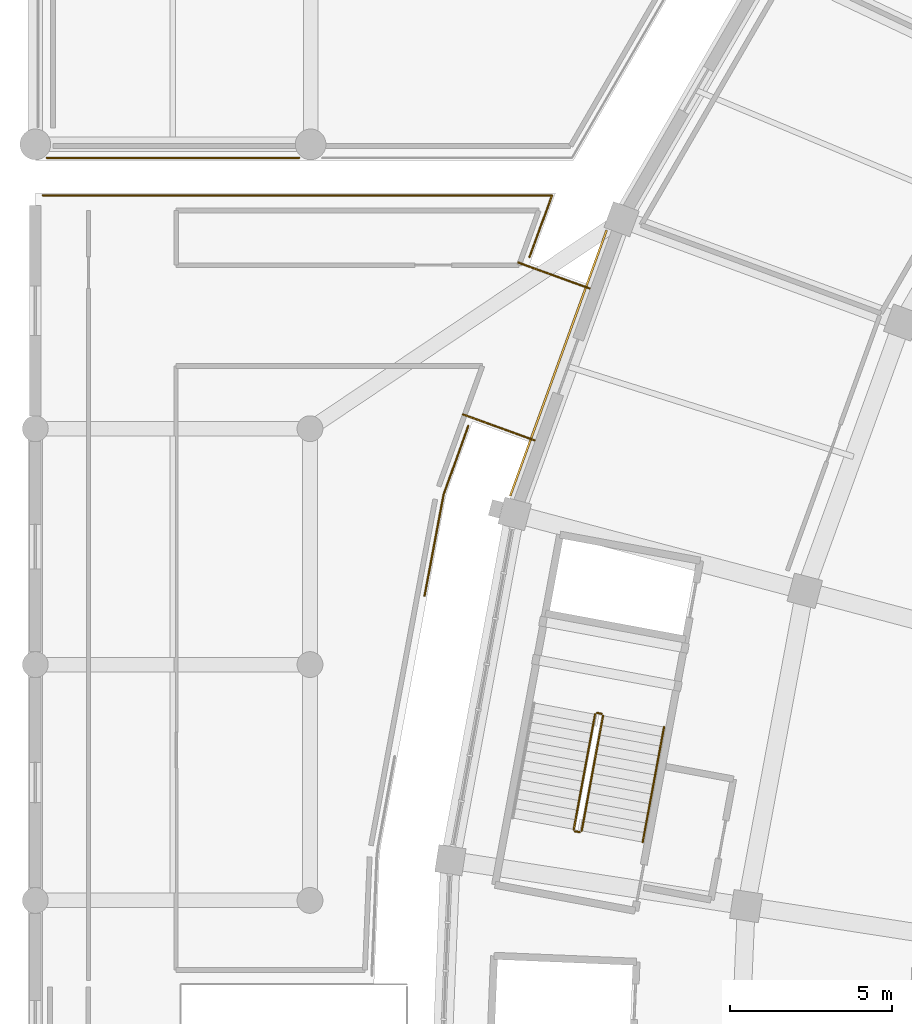
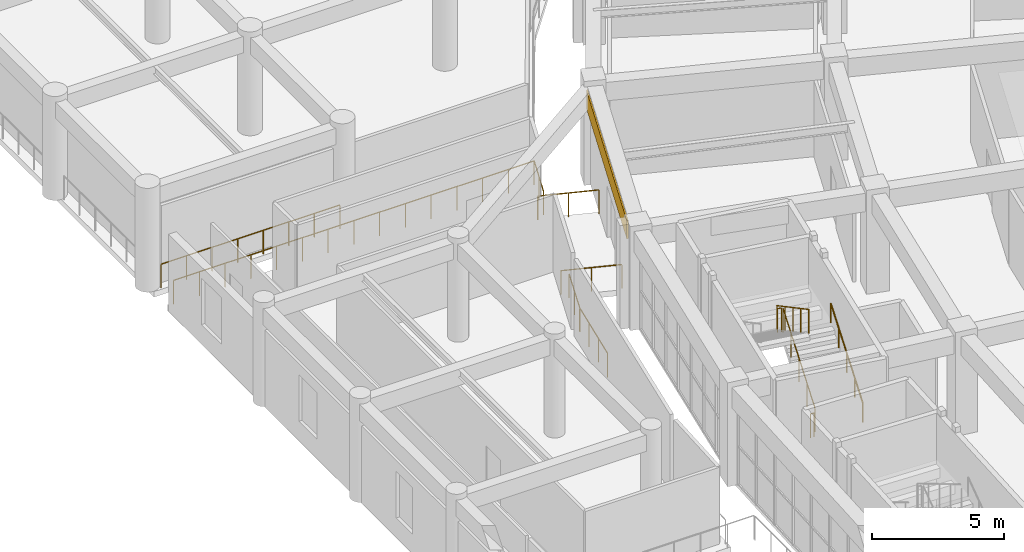
# One storey, part 131 of 152: 10 railings, 1 covering.
"""IFC4 building model written with IfcOpenShell, lengths in metres."""

from ifc_helpers import new_model, si_unit, direction, frame, origin, origin_2d, place, context, subcontext, project, spatial, rectangle, circle, extrude, material, layer, layer_set, type_object, element, save


model = new_model("IFC4")

# Units and contexts
model_context = context("Model", 3, precision=1e-05, world=origin(), true_north=direction((0.0, 1.0)))
body_context = subcontext(model_context, "Body", "Model", "MODEL_VIEW")
ifc_project = project(units=[si_unit("LENGTHUNIT", "METRE"), si_unit("AREAUNIT", "SQUARE_METRE"), si_unit("VOLUMEUNIT", "CUBIC_METRE"), si_unit("PLANEANGLEUNIT", "RADIAN"), si_unit("MASSUNIT", "GRAM", prefix="KILO")], contexts=[model_context])

# Site, building, storey
site_placement = place(None, origin())
site = spatial("IfcSite", under=ifc_project, at=site_placement, CompositionType="ELEMENT")
building_placement = place(site_placement, origin())
building = spatial("IfcBuilding", under=site, at=building_placement, Name="Mphavela Belvedere Stadium", CompositionType="ELEMENT")
storey_placement = place(building_placement, frame((0.0, 0.0, 5.39990234375)))
storey = spatial("IfcBuildingStorey", under=building, at=storey_placement, Name="L01", CompositionType="ELEMENT", Elevation=5.39990234375)

# Covering
ifc_material_1 = material(Name="Carved classical limestone entablature frieze cladding", Category="masonry")
ifc_layer = layer(ifc_material_1, 0.06005859375)
ifc_layer_set = layer_set([ifc_layer], Name="Carved classical limestone entablature frieze cladding")
covering_type = type_object("IfcCoveringType", Name="COV-FRIEZE-CLAD", PredefinedType="CLADDING", material=ifc_layer_set)
covering_placement = place(storey_placement, frame((16.188720703125, 118.2314453125, 3.594970703125), z_axis=(0.0, 0.0, 1.0), x_axis=(-0.341035912161, -0.940050268133, 0.0)))
element("IfcCovering", 1, at=covering_placement, inside=storey, type_object=covering_type, Name="Classical entablature frieze cladding L01-22", PredefinedType="CLADDING", context=body_context, shape_type="SweptSolid", body=[
    extrude(rectangle(XDim=8.75537109375, YDim=0.06005859375, at=origin_2d()), origin(), (0.0, 0.0, 1.0), 0.85009765625),
])

# Railings
ifc_material_2 = material(Name="Bronze and laminated glass stadium balustrade", Category="glass")
railing_type_1 = type_object("IfcRailingType", Name="RAL-BALUSTRADE-1120", PredefinedType="BALUSTRADE", material=ifc_material_2)
railing_1_placement = place(storey_placement, frame((17.154296875, 120.540771484375, 0.0)))
element("IfcRailing", 2, at=railing_1_placement, inside=storey, type_object=railing_type_1, Name="Colonnade link bridge balustrade L01-22A", PredefinedType="BALUSTRADE", context=body_context, shape_type="SweptSolid", body=[
    extrude(circle(Radius=0.02392578125, at=origin_2d()), frame((0.0, 0.0, 1.09619140625), z_axis=(-0.940044916205, 0.341050664151, 0.0), x_axis=(-0.341050664151, -0.940044916205, 0.0)), (0.0, 0.0, 1.0), 2.35009765625),
    extrude(circle(Radius=0.02099609375, at=origin_2d()), origin(), (0.0, 0.0, 1.0), 1.072021484375),
    extrude(circle(Radius=0.02099609375, at=origin_2d()), frame((-1.1044921875, 0.40087890625, 0.0)), (0.0, 0.0, 1.0), 1.072021484375),
    extrude(circle(Radius=0.02099609375, at=origin_2d()), frame((-2.209228515625, 0.801513671875, 0.0)), (0.0, 0.0, 1.0), 1.072021484375),
])
railing_2_placement = place(storey_placement, frame((15.44921875, 115.840576171875, 0.0)))
element("IfcRailing", 3, at=railing_2_placement, inside=storey, type_object=railing_type_1, Name="Colonnade link bridge balustrade L01-22B", PredefinedType="BALUSTRADE", context=body_context, shape_type="SweptSolid", body=[
    extrude(circle(Radius=0.02392578125, at=origin_2d()), frame((0.0, 0.0, 1.09619140625), z_axis=(-0.940078218368, 0.340958858734, 0.0), x_axis=(-0.340958858734, -0.940078218368, 0.0)), (0.0, 0.0, 1.0), 2.35009765625),
    extrude(circle(Radius=0.02099609375, at=origin_2d()), origin(), (0.0, 0.0, 1.0), 1.072021484375),
    extrude(circle(Radius=0.02099609375, at=origin_2d()), frame((-1.1044921875, 0.400634765625, 0.0)), (0.0, 0.0, 1.0), 1.072021484375),
    extrude(circle(Radius=0.02099609375, at=origin_2d()), frame((-2.209228515625, 0.80126953125, 0.0)), (0.0, 0.0, 1.0), 1.072021484375),
])
railing_3_placement = place(storey_placement, frame((8.164306640625, 124.580078125, 0.0)))
element("IfcRailing", 4, at=railing_3_placement, inside=storey, type_object=railing_type_1, Name="Peristyle wing gallery edge balustrade L01-36", PredefinedType="BALUSTRADE", context=body_context, shape_type="SweptSolid", body=[
    extrude(circle(Radius=0.02392578125, at=origin_2d()), frame((0.0, 0.0, 1.09619140625), z_axis=(-1.0, 0.0, 0.0), x_axis=(0.0, -1.0, 0.0)), (0.0, 0.0, 1.0), 7.809814453125),
    extrude(circle(Radius=0.02099609375, at=origin_2d()), origin(), (0.0, 0.0, 1.0), 1.072021484375),
    extrude(circle(Radius=0.02099609375, at=origin_2d()), frame((-1.11572265625, 0.0, 0.0)), (0.0, 0.0, 1.0), 1.072021484375),
    extrude(circle(Radius=0.02099609375, at=origin_2d()), frame((-2.2314453125, 0.0, 0.0)), (0.0, 0.0, 1.0), 1.072021484375),
    extrude(circle(Radius=0.02099609375, at=origin_2d()), frame((-3.34716796875, 0.0, 0.0)), (0.0, 0.0, 1.0), 1.072021484375),
    extrude(circle(Radius=0.02099609375, at=origin_2d()), frame((-4.462646484375, 0.0, 0.0)), (0.0, 0.0, 1.0), 1.072021484375),
    extrude(circle(Radius=0.02099609375, at=origin_2d()), frame((-5.578369140625, 0.0, 0.0)), (0.0, 0.0, 1.0), 1.072021484375),
    extrude(circle(Radius=0.02099609375, at=origin_2d()), frame((-6.694091796875, 0.0, 0.0)), (0.0, 0.0, 1.0), 1.072021484375),
    extrude(circle(Radius=0.02099609375, at=origin_2d()), frame((-7.809814453125, 0.0, 0.0)), (0.0, 0.0, 1.0), 1.072021484375),
])
railing_4_placement = place(storey_placement, frame((13.398193359375, 116.28662109375, 0.0)))
element("IfcRailing", 5, at=railing_4_placement, inside=storey, type_object=railing_type_1, Name="Peristyle wing gallery edge balustrade L01-54", PredefinedType="BALUSTRADE", context=body_context, shape_type="SweptSolid", body=[
    extrude(circle(Radius=0.02392578125, at=origin_2d()), frame((0.0, 0.0, 1.09619140625), z_axis=(-0.337621951524, -0.941281795133, 0.0), x_axis=(0.941281795133, -0.337621951524, 0.0)), (0.0, 0.0, 1.0), 2.26123046875),
    extrude(circle(Radius=0.02392578125, at=origin_2d()), frame((-0.763427734375, -2.12841796875, 1.09619140625), z_axis=(-0.184941248651, -0.982749578757, 0.0), x_axis=(0.982749578757, -0.184941248651, 0.0)), (0.0, 0.0, 1.0), 3.18408203125),
    extrude(circle(Radius=0.02099609375, at=origin_2d()), origin(), (0.0, 0.0, 1.0), 1.072021484375),
    extrude(circle(Radius=0.02099609375, at=origin_2d()), frame((-0.3818359375, -1.064208984375, 0.0)), (0.0, 0.0, 1.0), 1.072021484375),
    extrude(circle(Radius=0.02099609375, at=origin_2d()), frame((-0.763427734375, -2.12841796875, 0.0)), (0.0, 0.0, 1.0), 1.072021484375),
    extrude(circle(Radius=0.02099609375, at=origin_2d()), frame((-0.959716796875, -3.17138671875, 0.0)), (0.0, 0.0, 1.0), 1.072021484375),
    extrude(circle(Radius=0.02099609375, at=origin_2d()), frame((-1.156005859375, -4.214599609375, 0.0)), (0.0, 0.0, 1.0), 1.072021484375),
    extrude(circle(Radius=0.02099609375, at=origin_2d()), frame((-1.352294921875, -5.257568359375, 0.0)), (0.0, 0.0, 1.0), 1.072021484375),
])
railing_5_placement = place(storey_placement, frame((0.2333984375, 123.419921875, 0.0)))
element("IfcRailing", 6, at=railing_5_placement, inside=storey, type_object=railing_type_1, Name="Peristyle wing gallery edge balustrade L01-59", PredefinedType="BALUSTRADE", context=body_context, shape_type="SweptSolid", body=[
    extrude(circle(Radius=0.02392578125, at=origin_2d()), frame((0.0, 0.0, 1.09619140625), z_axis=(1.0, 0.0, 0.0), x_axis=(0.0, 1.0, 0.0)), (0.0, 0.0, 1.0), 15.756103515625),
    extrude(circle(Radius=0.02392578125, at=origin_2d()), frame((15.756103515625, 0.0, 1.09619140625), z_axis=(-0.342380499121, -0.939561383743, 0.0), x_axis=(0.939561383743, -0.342380499121, 0.0)), (0.0, 0.0, 1.0), 2.029296875),
    extrude(circle(Radius=0.02099609375, at=origin_2d()), origin(), (0.0, 0.0, 1.0), 1.072021484375),
    extrude(circle(Radius=0.02099609375, at=origin_2d()), frame((1.12548828125, 0.0, 0.0)), (0.0, 0.0, 1.0), 1.072021484375),
    extrude(circle(Radius=0.02099609375, at=origin_2d()), frame((2.2509765625, 0.0, 0.0)), (0.0, 0.0, 1.0), 1.072021484375),
    extrude(circle(Radius=0.02099609375, at=origin_2d()), frame((3.376220703125, 0.0, 0.0)), (0.0, 0.0, 1.0), 1.072021484375),
    extrude(circle(Radius=0.02099609375, at=origin_2d()), frame((4.501708984375, 0.0, 0.0)), (0.0, 0.0, 1.0), 1.072021484375),
    extrude(circle(Radius=0.02099609375, at=origin_2d()), frame((5.627197265625, 0.0, 0.0)), (0.0, 0.0, 1.0), 1.072021484375),
    extrude(circle(Radius=0.02099609375, at=origin_2d()), frame((6.752685546875, 0.0, 0.0)), (0.0, 0.0, 1.0), 1.072021484375),
    extrude(circle(Radius=0.02099609375, at=origin_2d()), frame((7.8779296875, 0.0, 0.0)), (0.0, 0.0, 1.0), 1.072021484375),
    extrude(circle(Radius=0.02099609375, at=origin_2d()), frame((9.00341796875, 0.0, 0.0)), (0.0, 0.0, 1.0), 1.072021484375),
    extrude(circle(Radius=0.02099609375, at=origin_2d()), frame((10.12890625, 0.0, 0.0)), (0.0, 0.0, 1.0), 1.072021484375),
    extrude(circle(Radius=0.02099609375, at=origin_2d()), frame((11.25439453125, 0.0, 0.0)), (0.0, 0.0, 1.0), 1.072021484375),
    extrude(circle(Radius=0.02099609375, at=origin_2d()), frame((12.3798828125, 0.0, 0.0)), (0.0, 0.0, 1.0), 1.072021484375),
    extrude(circle(Radius=0.02099609375, at=origin_2d()), frame((13.505126953125, 0.0, 0.0)), (0.0, 0.0, 1.0), 1.072021484375),
    extrude(circle(Radius=0.02099609375, at=origin_2d()), frame((14.630615234375, 0.0, 0.0)), (0.0, 0.0, 1.0), 1.072021484375),
    extrude(circle(Radius=0.02099609375, at=origin_2d()), frame((15.756103515625, 0.0, 0.0)), (0.0, 0.0, 1.0), 1.072021484375),
    extrude(circle(Radius=0.02099609375, at=origin_2d()), frame((15.40869140625, -0.953369140625, 0.0)), (0.0, 0.0, 1.0), 1.072021484375),
    extrude(circle(Radius=0.02099609375, at=origin_2d()), frame((15.061279296875, -1.90673828125, 0.0)), (0.0, 0.0, 1.0), 1.072021484375),
])
ifc_material_3 = material(Name="Painted galvanised steel stair guardrail", Category="steel")
railing_type_2 = type_object("IfcRailingType", Name="RAL-GUARD-1120", PredefinedType="GUARDRAIL", material=ifc_material_3)
railing_6_placement = place(storey_placement, frame((16.907958984375, 103.75390625, 0.184814453125)))
element("IfcRailing", 7, at=railing_6_placement, inside=storey, type_object=railing_type_2, Name="L01 ST-C06 stair guard 1", PredefinedType="GUARDRAIL", context=body_context, shape_type="SweptSolid", body=[
    extrude(circle(Radius=0.02392578125, at=origin_2d()), frame((0.0, 0.0, 1.09619140625), z_axis=(0.155771203994, 0.838865295602, 0.521574872708), x_axis=(-0.983192536952, 0.182571726404, 0.0)), (0.0, 0.0, 1.0), 4.247314453125),
    extrude(circle(Radius=0.02099609375, at=origin_2d()), origin(), (0.0, 0.0, 1.0), 1.072021484375),
    extrude(circle(Radius=0.02099609375, at=origin_2d()), frame((0.16552734375, 0.890625, 0.5537109375)), (0.0, 0.0, 1.0), 1.072021484375),
    extrude(circle(Radius=0.02099609375, at=origin_2d()), frame((0.330810546875, 1.781494140625, 1.107666015625)), (0.0, 0.0, 1.0), 1.072021484375),
    extrude(circle(Radius=0.02099609375, at=origin_2d()), frame((0.49609375, 2.67236328125, 1.66162109375)), (0.0, 0.0, 1.0), 1.072021484375),
    extrude(circle(Radius=0.02099609375, at=origin_2d()), frame((0.66162109375, 3.56298828125, 2.21533203125)), (0.0, 0.0, 1.0), 1.072021484375),
])
railing_7_placement = place(storey_placement, frame((17.529541015625, 107.375244140625, 2.400146484375)))
element("IfcRailing", 8, at=railing_7_placement, inside=storey, type_object=railing_type_2, Name="L01 ST-C06 stair guard 2", PredefinedType="GUARDRAIL", context=body_context, shape_type="SweptSolid", body=[
    extrude(circle(Radius=0.02392578125, at=origin_2d()), frame((0.0, 0.0, 1.09619140625), z_axis=(-0.983238797529, 0.182322426032, 0.0), x_axis=(-0.182322426032, -0.983238797529, 0.0)), (0.0, 0.0, 1.0), 0.14990234375),
    extrude(circle(Radius=0.02099609375, at=origin_2d()), origin(), (0.0, 0.0, 1.0), 1.072021484375),
    extrude(circle(Radius=0.02099609375, at=origin_2d()), frame((-0.1474609375, 0.02734375, 0.0)), (0.0, 0.0, 1.0), 1.072021484375),
])
railing_8_placement = place(storey_placement, frame((17.32373046875, 107.362548828125, 2.584716796875)))
element("IfcRailing", 9, at=railing_8_placement, inside=storey, type_object=railing_type_2, Name="L01 ST-C06 stair guard 3", PredefinedType="GUARDRAIL", context=body_context, shape_type="SweptSolid", body=[
    extrude(circle(Radius=0.02392578125, at=origin_2d()), frame((0.0, 0.0, 1.09619140625), z_axis=(-0.155771203994, -0.838865295602, 0.521574872708), x_axis=(0.983192536952, -0.182571726404, 0.0)), (0.0, 0.0, 1.0), 4.247314453125),
    extrude(circle(Radius=0.02099609375, at=origin_2d()), origin(), (0.0, 0.0, 1.0), 1.072021484375),
    extrude(circle(Radius=0.02099609375, at=origin_2d()), frame((-0.16552734375, -0.890625, 0.5537109375)), (0.0, 0.0, 1.0), 1.072021484375),
    extrude(circle(Radius=0.02099609375, at=origin_2d()), frame((-0.330810546875, -1.781494140625, 1.107666015625)), (0.0, 0.0, 1.0), 1.072021484375),
    extrude(circle(Radius=0.02099609375, at=origin_2d()), frame((-0.49609375, -2.67236328125, 1.66162109375)), (0.0, 0.0, 1.0), 1.072021484375),
    extrude(circle(Radius=0.02099609375, at=origin_2d()), frame((-0.66162109375, -3.56298828125, 2.21533203125)), (0.0, 0.0, 1.0), 1.072021484375),
])
railing_9_placement = place(storey_placement, frame((16.849609375, 103.7138671875, 0.0)))
element("IfcRailing", 10, at=railing_9_placement, inside=storey, type_object=railing_type_2, Name="L01 ST-C06 stair guard 4", PredefinedType="GUARDRAIL", context=body_context, shape_type="SweptSolid", body=[
    extrude(circle(Radius=0.02392578125, at=origin_2d()), frame((0.0, 0.0, 1.09619140625), z_axis=(-0.983238797529, 0.182322426032, 0.0), x_axis=(-0.182322426032, -0.983238797529, 0.0)), (0.0, 0.0, 1.0), 0.14990234375),
    extrude(circle(Radius=0.02099609375, at=origin_2d()), origin(), (0.0, 0.0, 1.0), 1.072021484375),
    extrude(circle(Radius=0.02099609375, at=origin_2d()), frame((-0.1474609375, 0.02734375, 0.0)), (0.0, 0.0, 1.0), 1.072021484375),
])
ifc_material_4 = material(Name="Brushed stainless steel tubular handrail", Category="steel")
railing_type_3 = type_object("IfcRailingType", Name="RAL-HANDRAIL-900", PredefinedType="HANDRAIL", material=ifc_material_4)
railing_10_placement = place(storey_placement, frame((18.795654296875, 103.4033203125, 0.184814453125)))
element("IfcRailing", 11, at=railing_10_placement, inside=storey, type_object=railing_type_3, Name="L01 ST-C06 stair handrail 1", PredefinedType="HANDRAIL", context=body_context, shape_type="SweptSolid", body=[
    extrude(circle(Radius=0.02392578125, at=origin_2d()), frame((0.0, 0.0, 0.8759765625), z_axis=(0.155771203994, 0.838865295602, 0.521574872708), x_axis=(-0.983192536952, 0.182571726404, 0.0)), (0.0, 0.0, 1.0), 4.247314453125),
    extrude(circle(Radius=0.02099609375, at=origin_2d()), origin(), (0.0, 0.0, 1.0), 0.851806640625),
    extrude(circle(Radius=0.02099609375, at=origin_2d()), frame((0.16552734375, 0.890625, 0.5537109375)), (0.0, 0.0, 1.0), 0.851806640625),
    extrude(circle(Radius=0.02099609375, at=origin_2d()), frame((0.330810546875, 1.781494140625, 1.107666015625)), (0.0, 0.0, 1.0), 0.851806640625),
    extrude(circle(Radius=0.02099609375, at=origin_2d()), frame((0.49609375, 2.67236328125, 1.66162109375)), (0.0, 0.0, 1.0), 0.851806640625),
    extrude(circle(Radius=0.02099609375, at=origin_2d()), frame((0.66162109375, 3.56298828125, 2.21533203125)), (0.0, 0.0, 1.0), 0.851806640625),
])

save(model, "model.ifc")
